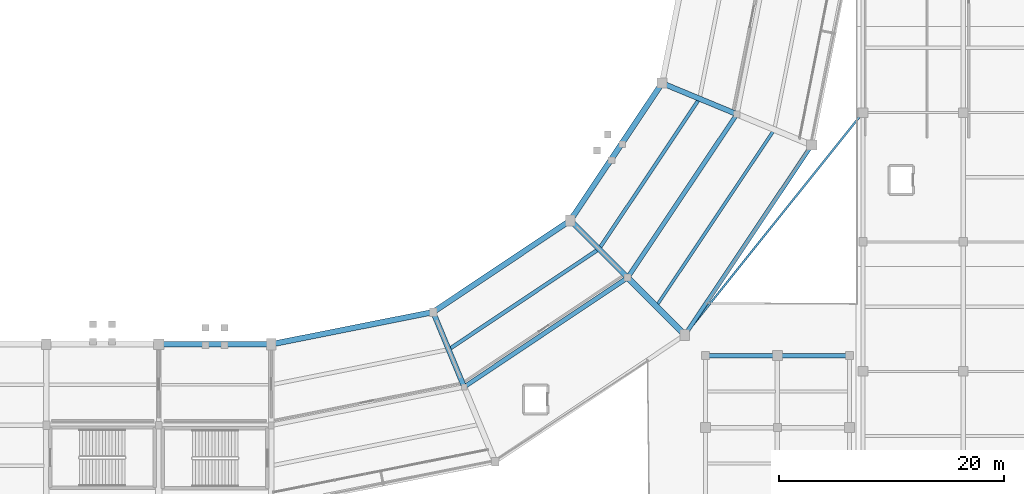
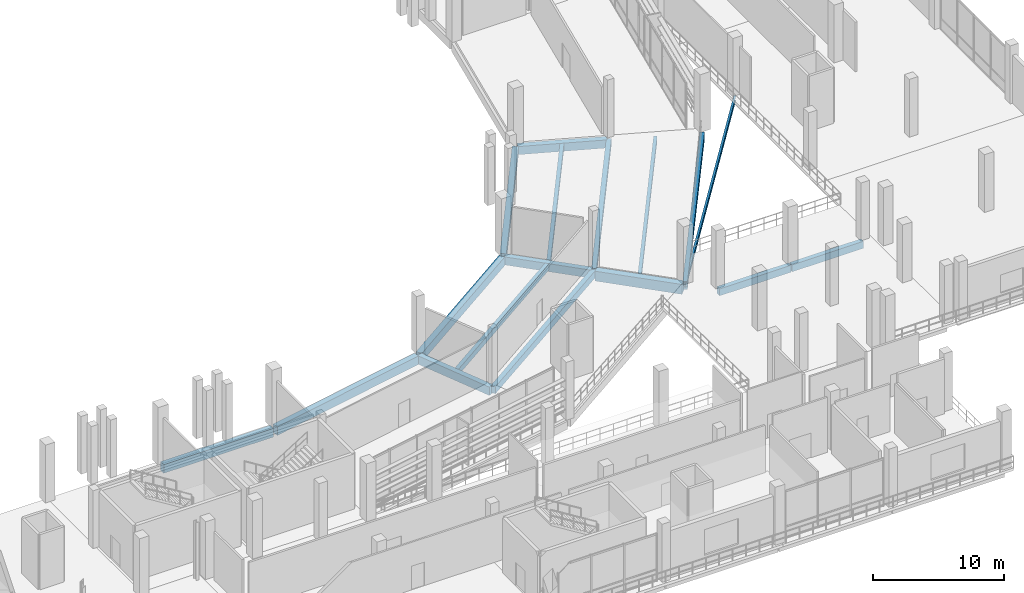
# One storey, part 37 of 114: 17 beams.
"""IFC4 building model written with IfcOpenShell, lengths in metres."""

from ifc_helpers import new_model, si_unit, direction, frame, origin, origin_2d, place, context, subcontext, project, spatial, rectangle, i_section, extrude, material, material_profile, profile_set, type_object, element, save


model = new_model("IFC4")

# Units and contexts
model_context = context("Model", 3, precision=1e-05, world=origin(), true_north=direction((0.0, 1.0)))
body_context = subcontext(model_context, "Body", "Model", "MODEL_VIEW")
ifc_project = project(units=[si_unit("LENGTHUNIT", "METRE"), si_unit("AREAUNIT", "SQUARE_METRE"), si_unit("VOLUMEUNIT", "CUBIC_METRE"), si_unit("PLANEANGLEUNIT", "RADIAN"), si_unit("MASSUNIT", "GRAM", prefix="KILO")], contexts=[model_context])

# Site, building, storey
site_placement = place(None, origin())
site = spatial("IfcSite", under=ifc_project, at=site_placement, CompositionType="ELEMENT")
building_placement = place(site_placement, origin())
building = spatial("IfcBuilding", under=site, at=building_placement, Name="Candeia Ridge Stadium", CompositionType="ELEMENT")
storey_placement = place(building_placement, frame((0.0, 0.0, 5.39990234375)))
storey = spatial("IfcBuildingStorey", under=building, at=storey_placement, Name="L01", CompositionType="ELEMENT", Elevation=5.39990234375)

# Beams
ifc_material_1 = material(Name="Concrete C45/55", Category="concrete")
ifc_material_profile_1 = material_profile(ifc_material_1, rectangle(XDim=0.449951171875, YDim=0.75, at=origin_2d()), Name="RC450x750", Category="concrete")
ifc_profile_set_1 = profile_set([ifc_material_profile_1], Name="Concrete C45/55")
beam_type_1 = type_object("IfcBeamType", Name="Bowl Radial Girder RC450x750", PredefinedType="BEAM", material=ifc_profile_set_1)
beam_1_placement = place(storey_placement, frame((167.700439453125, 44.299560546875, -0.635009765625), z_axis=(0.707106781187, -0.707106781187, 0.0), x_axis=(0.707106781187, 0.707106781187, 0.0)))
element("IfcBeam", 1, at=beam_1_placement, inside=storey, type_object=beam_type_1, Name="Bowl radial girder BM-L01-0055", PredefinedType="BEAM", context=body_context, shape_type="SweptSolid", body=[
    extrude(rectangle(XDim=0.449951171875, YDim=0.75, at=origin_2d()), origin(), (0.0, 0.0, 1.0), 6.8798828125),
])
ifc_material_2 = material(Name="Concrete C40/50", Category="concrete")
ifc_material_profile_2 = material_profile(ifc_material_2, rectangle(XDim=0.280029296875, YDim=0.4599609375, at=origin_2d()), Name="RC280x460", Category="concrete")
ifc_profile_set_2 = profile_set([ifc_material_profile_2], Name="Concrete C40/50")
beam_type_2 = type_object("IfcBeamType", Name="Floor Joist RC280x460", PredefinedType="JOIST", material=ifc_profile_set_2)
beam_2_placement = place(storey_placement, frame((175.347412109375, 36.960693359375, -0.489990234375), z_axis=(0.555573683674, 0.831467306639, 0.0), x_axis=(-0.831467306639, 0.555573683674, 0.0)))
element("IfcBeam", 2, at=beam_2_placement, inside=storey, type_object=beam_type_2, Name="Concourse secondary joist BM-L01-0201", PredefinedType="JOIST", context=body_context, shape_type="SweptSolid", body=[
    extrude(rectangle(XDim=0.280029296875, YDim=0.4599609375, at=origin_2d()), origin(), (0.0, 0.0, 1.0), 18.440673828125),
])
ifc_material_profile_3 = material_profile(ifc_material_2, rectangle(XDim=0.320068359375, YDim=0.52001953125, at=origin_2d()), Name="RC320x520", Category="concrete")
ifc_profile_set_3 = profile_set([ifc_material_profile_3], Name="Concrete C40/50")
beam_type_3 = type_object("IfcBeamType", Name="Floor Joist RC320x520", PredefinedType="JOIST", material=ifc_profile_set_3)
beam_3_placement = place(storey_placement, frame((170.256103515625, 42.0517578125, -0.52001953125), z_axis=(0.555568527312, 0.831470752017, 0.0), x_axis=(-0.831470752017, 0.555568527312, 0.0)))
element("IfcBeam", 3, at=beam_3_placement, inside=storey, type_object=beam_type_3, Name="Concourse secondary joist BM-L01-0200", PredefinedType="JOIST", context=body_context, shape_type="SweptSolid", body=[
    extrude(rectangle(XDim=0.320068359375, YDim=0.52001953125, at=origin_2d()), origin(), (0.0, 0.0, 1.0), 15.63134765625),
])
ifc_material_profile_4 = material_profile(ifc_material_2, rectangle(XDim=0.340087890625, YDim=0.5400390625, at=origin_2d()), Name="RC340x540", Category="concrete")
ifc_profile_set_4 = profile_set([ifc_material_profile_4], Name="Concrete C40/50")
beam_type_4 = type_object("IfcBeamType", Name="Floor Joist RC340x540", PredefinedType="JOIST", material=ifc_profile_set_4)
beam_4_placement = place(storey_placement, frame((156.951171875, 33.0595703125, -0.52978515625), z_axis=(0.831470752017, 0.555568527312, 0.0), x_axis=(-0.555568527312, 0.831470752017, 0.0)))
element("IfcBeam", 4, at=beam_4_placement, inside=storey, type_object=beam_type_4, Name="Concourse secondary joist BM-L01-0196", PredefinedType="JOIST", context=body_context, shape_type="SweptSolid", body=[
    extrude(rectangle(XDim=0.340087890625, YDim=0.5400390625, at=origin_2d()), origin(), (0.0, 0.0, 1.0), 15.63134765625),
])
ifc_material_profile_5 = material_profile(ifc_material_2, rectangle(XDim=0.4599609375, YDim=0.780029296875, at=origin_2d()), Name="RC460x780", Category="concrete")
ifc_profile_set_5 = profile_set([ifc_material_profile_5], Name="Concrete C40/50")
beam_type_5 = type_object("IfcBeamType", Name="Frame Girder RC460x780", PredefinedType="BEAM", material=ifc_profile_set_5)
beam_5_placement = place(storey_placement, frame((155.4501953125, 36.1142578125, -0.64990234375), z_axis=(0.382681914982, -0.923880161031, 0.0), x_axis=(0.923880161031, 0.382681914982, 0.0)))
element("IfcBeam", 5, at=beam_5_placement, inside=storey, type_object=beam_type_5, Name="Bowl radial girder BM-L01-0053", PredefinedType="BEAM", context=body_context, shape_type="SweptSolid", body=[
    extrude(rectangle(XDim=0.4599609375, YDim=0.780029296875, at=origin_2d()), origin(), (0.0, 0.0, 1.0), 6.8798828125),
])
ifc_material_profile_6 = material_profile(ifc_material_2, rectangle(XDim=0.469970703125, YDim=0.760009765625, at=origin_2d()), Name="RC470x760", Category="concrete")
ifc_profile_set_6 = profile_set([ifc_material_profile_6], Name="Concrete C40/50")
beam_type_6 = type_object("IfcBeamType", Name="Frame Girder RC470x760", PredefinedType="BEAM", material=ifc_profile_set_6)
beam_6_placement = place(storey_placement, frame((175.8857421875, 56.5498046875, -0.639892578125), z_axis=(0.923880161031, -0.382681914982, 0.0), x_axis=(0.382681914982, 0.923880161031, 0.0)))
element("IfcBeam", 6, at=beam_6_placement, inside=storey, type_object=beam_type_6, Name="Bowl radial girder BM-L01-0057", PredefinedType="BEAM", context=body_context, shape_type="SweptSolid", body=[
    extrude(rectangle(XDim=0.469970703125, YDim=0.760009765625, at=origin_2d()), origin(), (0.0, 0.0, 1.0), 6.8798828125),
])
ifc_material_profile_7 = material_profile(ifc_material_2, rectangle(XDim=0.5, YDim=0.800048828125, at=origin_2d()), Name="RC500x800", Category="concrete")
ifc_profile_set_7 = profile_set([ifc_material_profile_7], Name="Concrete C40/50")
beam_type_7 = type_object("IfcBeamType", Name="Frame Girder RC500x800", PredefinedType="BEAM", material=ifc_profile_set_7)
beam_7_placement = place(storey_placement, frame((131.159912109375, 33.39990234375, -0.659912109375), z_axis=(1.0, 0.0, 0.0), x_axis=(0.0, 1.0, 0.0)))
element("IfcBeam", 7, at=beam_7_placement, inside=storey, type_object=beam_type_7, Name="Bowl inner ring girder BM-L01-0184", PredefinedType="BEAM", context=body_context, shape_type="SweptSolid", body=[
    extrude(rectangle(XDim=0.5, YDim=0.800048828125, at=origin_2d()), origin(), (0.0, 0.0, 1.0), 9.68017578125),
])
for number, where, z_axis, x_axis, name in (
    (8, (141.156982421875, 33.43115234375, -0.659912109375), (0.980783642657, 0.195098555341, 0.0), (-0.195098555341, 0.980783642657, 0.0), "Bowl inner ring girder BM-L01-0188"),
    (9, (155.52197265625, 36.35107421875, -0.659912109375), (0.831466176057, 0.55557537569, 0.0), (-0.55557537569, 0.831466176057, 0.0), "Bowl inner ring girder BM-L01-0193"),
    (10, (167.676025390625, 44.5458984375, -0.659912109375), (0.55557537569, 0.831466176057, 0.0), (-0.831466176057, 0.55557537569, 0.0), "Bowl inner ring girder BM-L01-0197"),
):
    element("IfcBeam", number, at=place(storey_placement, frame(where, z_axis=z_axis, x_axis=x_axis)), inside=storey, type_object=beam_type_7, Name=name, PredefinedType="BEAM", context=body_context, shape_type="SweptSolid", body=[
        extrude(rectangle(XDim=0.5, YDim=0.800048828125, at=origin_2d()), origin(), (0.0, 0.0, 1.0), 14.350830078125),
    ])
ifc_material_profile_8 = material_profile(ifc_material_1, rectangle(XDim=0.550048828125, YDim=0.919921875, at=origin_2d()), Name="RC550x920", Category="concrete")
ifc_profile_set_8 = profile_set([ifc_material_profile_8], Name="Concrete C45/55")
beam_type_8 = type_object("IfcBeamType", Name="Frame Girder RC550x920", PredefinedType="BEAM", material=ifc_profile_set_8)
beam_8_placement = place(storey_placement, frame((172.79150390625, 39.20849609375, -0.719970703125), z_axis=(0.707106781187, -0.707106781187, 0.0), x_axis=(0.707106781187, 0.707106781187, 0.0)))
element("IfcBeam", 11, at=beam_8_placement, inside=storey, type_object=beam_type_8, Name="Bowl radial girder BM-L01-0056", PredefinedType="BEAM", context=body_context, shape_type="SweptSolid", body=[
    extrude(rectangle(XDim=0.550048828125, YDim=0.919921875, at=origin_2d()), origin(), (0.0, 0.0, 1.0), 6.880126953125),
])
ifc_material_profile_9 = material_profile(ifc_material_1, rectangle(XDim=0.3701171875, YDim=0.739990234375, at=origin_2d()), Name="RC370x740", Category="concrete")
ifc_profile_set_9 = profile_set([ifc_material_profile_9], Name="Concrete C45/55")
beam_type_9 = type_object("IfcBeamType", Name="Spandrel Beam RC370x740", PredefinedType="SPANDREL", material=ifc_profile_set_9)
beam_9_placement = place(storey_placement, frame((177.8583984375, 34.363525390625, -0.6298828125), z_axis=(0.555571676938, 0.831468647505, 0.0), x_axis=(-0.831468647505, 0.555571676938, 0.0)))
element("IfcBeam", 12, at=beam_9_placement, inside=storey, type_object=beam_type_9, Name="Bowl perimeter spandrel BM-L01-0199", PredefinedType="SPANDREL", context=body_context, shape_type="SweptSolid", body=[
    extrude(rectangle(XDim=0.3701171875, YDim=0.739990234375, at=origin_2d()), origin(), (0.0, 0.0, 1.0), 19.969482421875),
])
ifc_material_3 = material(Name="Steel ASTM A572 Grade 50", Category="steel")
ifc_material_profile_10 = material_profile(ifc_material_3, i_section(OverallWidth=0.178955078125, OverallDepth=0.409912109375, WebThickness=0.0087890625, FlangeThickness=0.014404296875, FilletRadius=0.011962890625, at=origin_2d()), Name="W410x67", Category="steel")
ifc_profile_set_10 = profile_set([ifc_material_profile_10], Name="Steel ASTM A572 Grade 50")
beam_type_10 = type_object("IfcBeamType", Name="Warm-Up Hall Girder W410x67", PredefinedType="BEAM", material=ifc_profile_set_10)
beam_10_placement = place(storey_placement, frame((193.56884765625, 53.9609375, -0.494873046875), z_axis=(-0.625056131229, -0.780579805537, 0.0), x_axis=(0.780579805537, -0.625056131229, 0.0)))
element("IfcBeam", 13, at=beam_10_placement, inside=storey, type_object=beam_type_10, Name="Wing-to-bowl tie girder BM-L01-2547", PredefinedType="BEAM", context=body_context, shape_type="SweptSolid", body=[
    extrude(i_section(OverallWidth=0.178955078125, OverallDepth=0.409912109375, WebThickness=0.0087890625, FlangeThickness=0.014404296875, FilletRadius=0.011962890625, at=origin_2d()), origin(), (0.0, 0.0, 1.0), 25.2265625),
])
ifc_material_profile_11 = material_profile(ifc_material_2, rectangle(XDim=0.39990234375, YDim=0.64990234375, at=origin_2d()), Name="RC400x650", Category="concrete")
ifc_profile_set_11 = profile_set([ifc_material_profile_11], Name="Concrete C40/50")
beam_type_11 = type_object("IfcBeamType", Name="Wing Primary Girder RC400x650", PredefinedType="BEAM", material=ifc_profile_set_11)
for number, where, z_axis, x_axis, name in (
    (14, (158.185791015625, 29.637939453125, -0.5849609375), (0.831464172962, 0.555578373482, 0.0), (-0.555578373482, 0.831464172962, 0.0), "Concourse spine girder BM-L01-0194"),
    (15, (172.7060546875, 39.36328125, -0.5849609375), (0.555578373482, 0.831464172962, 0.0), (-0.831464172962, 0.555578373482, 0.0), "Concourse spine girder BM-L01-0198"),
):
    element("IfcBeam", number, at=place(storey_placement, frame(where, z_axis=z_axis, x_axis=x_axis)), inside=storey, type_object=beam_type_11, Name=name, PredefinedType="BEAM", context=body_context, shape_type="SweptSolid", body=[
        extrude(rectangle(XDim=0.39990234375, YDim=0.64990234375, at=origin_2d()), origin(), (0.0, 0.0, 1.0), 17.380126953125),
    ])
for number, where, z_axis, x_axis, name in (
    (16, (179.64990234375, 32.39990234375, -0.5849609375), (1.0, 0.0, 0.0), (0.0, 1.0, 0.0), "Structural girder BM-L01-2086"),
    (17, (186.050048828125, 32.39990234375, -0.5849609375), (1.0, 0.0, 0.0), (0.0, 1.0, 0.0), "Structural girder BM-L01-2091"),
):
    element("IfcBeam", number, at=place(storey_placement, frame(where, z_axis=z_axis, x_axis=x_axis)), inside=storey, type_object=beam_type_11, Name=name, PredefinedType="BEAM", context=body_context, shape_type="SweptSolid", body=[
        extrude(rectangle(XDim=0.39990234375, YDim=0.64990234375, at=origin_2d()), origin(), (0.0, 0.0, 1.0), 6.300048828125),
    ])

save(model, "model.ifc")
